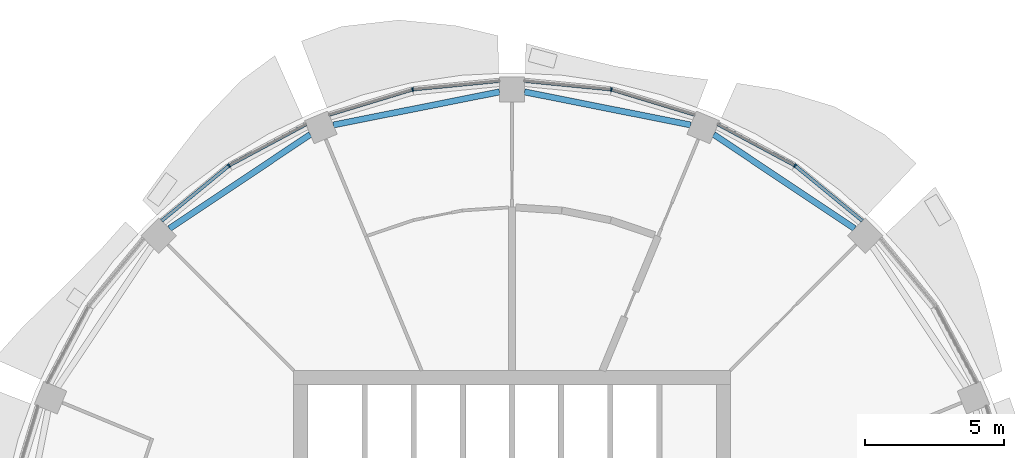
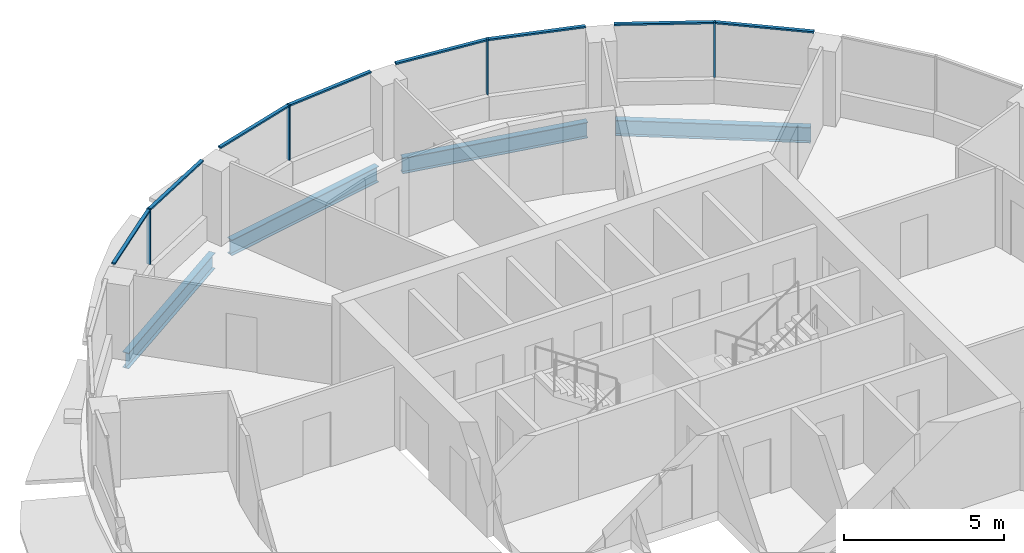
# One storey, part 6 of 15: 12 members, 4 beams, 4 elements without a shape of their own.
"""IFC4 building model written with IfcOpenShell, lengths in metres."""

from ifc_helpers import new_model, si_unit, direction, frame, origin, origin_2d, place, context, subcontext, project, spatial, rectangle, i_section, extrude, material, material_profile, profile_set, type_object, element, aggregate, save


model = new_model("IFC4")

# Units and contexts
model_context = context("Model", 3, precision=1e-05, world=origin(), true_north=direction((0.0, 1.0)))
body_context = subcontext(model_context, "Body", "Model", "MODEL_VIEW")
ifc_project = project(units=[si_unit("LENGTHUNIT", "METRE"), si_unit("AREAUNIT", "SQUARE_METRE"), si_unit("VOLUMEUNIT", "CUBIC_METRE"), si_unit("PLANEANGLEUNIT", "RADIAN"), si_unit("MASSUNIT", "GRAM", prefix="KILO")], contexts=[model_context])

# Site, building, storey
site_placement = place(None, origin())
site = spatial("IfcSite", under=ifc_project, at=site_placement, CompositionType="ELEMENT")
building_placement = place(site_placement, origin())
building = spatial("IfcBuilding", under=site, at=building_placement, Name="Polderwave Tower", CompositionType="ELEMENT")
storey_placement = place(building_placement, frame((0.0, 0.0, 180.949951171875)))
storey = spatial("IfcBuildingStorey", under=building, at=storey_placement, Name="L48", CompositionType="ELEMENT", Elevation=180.949951171875)

# Curtain wall, member
ifc_material_1 = material(Name="Aluminium 6063-T6 and glass", Category="aluminium")
curtain_wall_type = type_object("IfcCurtainWallType", Name="Office ribbon glazing wall", PredefinedType="NOTDEFINED", material=ifc_material_1)
curtain_wall_1_placement = place(storey_placement, origin())
curtain_wall_1 = element("IfcCurtainWall", 1, at=curtain_wall_1_placement, inside=storey, type_object=curtain_wall_type, Name="CW3 L48 02", PredefinedType="NOTDEFINED")
ifc_material_2 = material(Name="Aluminium 6063-T6", Category="aluminium")
ifc_material_profile_1 = material_profile(ifc_material_2, rectangle(XDim=0.139892578125, YDim=0.054931640625, at=origin_2d()), Name="AL 55x140")
ifc_profile_set_1 = profile_set([ifc_material_profile_1], Name="Aluminium 6063-T6")
member_type_1 = type_object("IfcMemberType", Name="Office ribbon glazing mullion 55x140", PredefinedType="MULLION", material=ifc_profile_set_1)
member_1_placement = place(storey_placement, frame((10.2060546875, 15.27392578125, 0.900146484375), z_axis=(0.0, 0.0, 1.0), x_axis=(-0.555695028949, -0.83138621278, 0.0)))
member_1 = element("IfcMember", 2, at=member_1_placement, type_object=member_type_1, Name="CW3 mullion 1", PredefinedType="MULLION", context=body_context, shape_type="SweptSolid", body=[
    extrude(rectangle(XDim=0.139892578125, YDim=0.054931640625, at=origin_2d()), origin(), (0.0, 0.0, 1.0), 2.099853515625),
])

curtain_wall_2_placement = place(storey_placement, origin())
curtain_wall_2 = element("IfcCurtainWall", 3, at=curtain_wall_2_placement, inside=storey, type_object=curtain_wall_type, Name="CW3 L48 03", PredefinedType="NOTDEFINED")
member_2_placement = place(storey_placement, frame((3.583984375, 18.01708984375, 0.900146484375), z_axis=(0.0, 0.0, 1.0), x_axis=(-0.195143387321, -0.980774723565, 0.0)))
member_2 = element("IfcMember", 4, at=member_2_placement, type_object=member_type_1, Name="CW3 mullion 1", PredefinedType="MULLION", context=body_context, shape_type="SweptSolid", body=[
    extrude(rectangle(XDim=0.139892578125, YDim=0.054931640625, at=origin_2d()), origin(), (0.0, 0.0, 1.0), 2.099853515625),
])

curtain_wall_3_placement = place(storey_placement, origin())
curtain_wall_3 = element("IfcCurtainWall", 5, at=curtain_wall_3_placement, inside=storey, type_object=curtain_wall_type, Name="CW3 L48 04", PredefinedType="NOTDEFINED")
member_3_placement = place(storey_placement, frame((-3.583984375, 18.01708984375, 0.900146484375), z_axis=(0.0, 0.0, 1.0), x_axis=(0.195143387321, -0.980774723565, 0.0)))
member_3 = element("IfcMember", 6, at=member_3_placement, type_object=member_type_1, Name="CW3 mullion 1", PredefinedType="MULLION", context=body_context, shape_type="SweptSolid", body=[
    extrude(rectangle(XDim=0.139892578125, YDim=0.054931640625, at=origin_2d()), origin(), (0.0, 0.0, 1.0), 2.099853515625),
])

curtain_wall_4_placement = place(storey_placement, origin())
curtain_wall_4 = element("IfcCurtainWall", 7, at=curtain_wall_4_placement, inside=storey, type_object=curtain_wall_type, Name="CW3 L48 05", PredefinedType="NOTDEFINED")
member_4_placement = place(storey_placement, frame((-10.2060546875, 15.27392578125, 0.900146484375), z_axis=(0.0, 0.0, 1.0), x_axis=(0.555695028949, -0.83138621278, 0.0)))
member_4 = element("IfcMember", 8, at=member_4_placement, type_object=member_type_1, Name="CW3 mullion 1", PredefinedType="MULLION", context=body_context, shape_type="SweptSolid", body=[
    extrude(rectangle(XDim=0.139892578125, YDim=0.054931640625, at=origin_2d()), origin(), (0.0, 0.0, 1.0), 2.099853515625),
])

# Member
ifc_material_profile_2 = material_profile(ifc_material_2, rectangle(XDim=0.1201171875, YDim=0.06005859375, at=origin_2d()), Name="AL 60x120")
ifc_profile_set_2 = profile_set([ifc_material_profile_2], Name="Aluminium 6063-T6")
member_type_2 = type_object("IfcMemberType", Name="Office ribbon glazing transom 60x120", PredefinedType="USERDEFINED", material=ifc_profile_set_2)
member_5_placement = place(storey_placement, frame((12.639892578125, 13.27587890625, 2.969970703125), z_axis=(-0.772893374383, 0.634535918475, 0.0), x_axis=(-0.634535918475, -0.772893374383, 0.0)))
member_5 = element("IfcMember", 9, at=member_5_placement, type_object=member_type_2, Name="CW3 transom 1", ObjectType="TRANSOM", PredefinedType="USERDEFINED", context=body_context, shape_type="SweptSolid", body=[
    extrude(rectangle(XDim=0.1201171875, YDim=0.06005859375, at=origin_2d()), origin(), (0.0, 0.0, 1.0), 3.12158203125),
])

member_6_placement = place(storey_placement, frame((10.181640625, 15.287109375, 2.969970703125), z_axis=(-0.881843639601, 0.471541933761, 0.0), x_axis=(-0.471541933761, -0.881843639601, 0.0)))
member_6 = element("IfcMember", 10, at=member_6_placement, type_object=member_type_2, Name="CW3 transom 2", ObjectType="TRANSOM", PredefinedType="USERDEFINED", context=body_context, shape_type="SweptSolid", body=[
    extrude(rectangle(XDim=0.1201171875, YDim=0.06005859375, at=origin_2d()), origin(), (0.0, 0.0, 1.0), 3.12158203125),
])

aggregate(curtain_wall_1, [member_1, member_5, member_6])

member_7_placement = place(storey_placement, frame((6.596923828125, 17.10302734375, 2.969970703125), z_axis=(-0.956936858445, 0.290296140087, 0.0), x_axis=(-0.290296140087, -0.956936858445, 0.0)))
member_7 = element("IfcMember", 11, at=member_7_placement, type_object=member_type_2, Name="CW3 transom 1", ObjectType="TRANSOM", PredefinedType="USERDEFINED", context=body_context, shape_type="SweptSolid", body=[
    extrude(rectangle(XDim=0.1201171875, YDim=0.06005859375, at=origin_2d()), origin(), (0.0, 0.0, 1.0), 3.120849609375),
])

member_8_placement = place(storey_placement, frame((3.556640625, 18.019775390625, 2.969970703125), z_axis=(-0.995179408841, 0.098071118168, 0.0), x_axis=(-0.098071118168, -0.995179408841, 0.0)))
member_8 = element("IfcMember", 12, at=member_8_placement, type_object=member_type_2, Name="CW3 transom 2", ObjectType="TRANSOM", PredefinedType="USERDEFINED", context=body_context, shape_type="SweptSolid", body=[
    extrude(rectangle(XDim=0.1201171875, YDim=0.06005859375, at=origin_2d()), origin(), (0.0, 0.0, 1.0), 3.121826171875),
])

aggregate(curtain_wall_2, [member_2, member_7, member_8])

member_9_placement = place(storey_placement, frame((-0.449951171875, 18.325927734375, 2.969970703125), z_axis=(-0.995179408841, -0.098071118168, 0.0), x_axis=(0.098071118168, -0.995179408841, 0.0)))
member_9 = element("IfcMember", 13, at=member_9_placement, type_object=member_type_2, Name="CW3 transom 1", ObjectType="TRANSOM", PredefinedType="USERDEFINED", context=body_context, shape_type="SweptSolid", body=[
    extrude(rectangle(XDim=0.1201171875, YDim=0.06005859375, at=origin_2d()), origin(), (0.0, 0.0, 1.0), 3.121826171875),
])

member_10_placement = place(storey_placement, frame((-3.6103515625, 18.009033203125, 2.969970703125), z_axis=(-0.956936858445, -0.290296140087, 0.0), x_axis=(0.290296140087, -0.956936858445, 0.0)))
member_10 = element("IfcMember", 14, at=member_10_placement, type_object=member_type_2, Name="CW3 transom 2", ObjectType="TRANSOM", PredefinedType="USERDEFINED", context=body_context, shape_type="SweptSolid", body=[
    extrude(rectangle(XDim=0.1201171875, YDim=0.06005859375, at=origin_2d()), origin(), (0.0, 0.0, 1.0), 3.120849609375),
])

aggregate(curtain_wall_3, [member_3, member_9, member_10])

member_11_placement = place(storey_placement, frame((-7.428955078125, 16.759033203125, 2.969970703125), z_axis=(-0.881843639601, -0.471541933761, 0.0), x_axis=(0.471541933761, -0.881843639601, 0.0)))
member_11 = element("IfcMember", 15, at=member_11_placement, type_object=member_type_2, Name="CW3 transom 1", ObjectType="TRANSOM", PredefinedType="USERDEFINED", context=body_context, shape_type="SweptSolid", body=[
    extrude(rectangle(XDim=0.1201171875, YDim=0.06005859375, at=origin_2d()), origin(), (0.0, 0.0, 1.0), 3.12158203125),
])

member_12_placement = place(storey_placement, frame((-10.227294921875, 15.256591796875, 2.969970703125), z_axis=(-0.772893374383, -0.634535918475, 0.0), x_axis=(0.634535918475, -0.772893374383, 0.0)))
member_12 = element("IfcMember", 16, at=member_12_placement, type_object=member_type_2, Name="CW3 transom 2", ObjectType="TRANSOM", PredefinedType="USERDEFINED", context=body_context, shape_type="SweptSolid", body=[
    extrude(rectangle(XDim=0.1201171875, YDim=0.06005859375, at=origin_2d()), origin(), (0.0, 0.0, 1.0), 3.12158203125),
])

aggregate(curtain_wall_4, [member_4, member_11, member_12])

# Beams
ifc_material_3 = material(Name="Steel S355", Category="steel")
ifc_material_profile_3 = material_profile(ifc_material_3, i_section(OverallWidth=0.219970703125, OverallDepth=0.60009765625, WebThickness=0.011962890625, FlangeThickness=0.01904296875, at=origin_2d()), Name="IPE 600")
ifc_profile_set_3 = profile_set([ifc_material_profile_3], Name="Steel S355")
beam_type = type_object("IfcBeamType", Name="RING BEAM IPE 600", PredefinedType="BEAM", material=ifc_profile_set_3)
for number, where, z_axis, x_axis, name in (
    (17, (12.360595703125, 12.9970703125, -0.64990234375), (-0.831490778911, 0.555538553645, 0.0), (-0.555538553645, -0.831490778911, 0.0), "ST-RB-L48-02"),
    (18, (6.446044921875, 16.73779296875, -0.64990234375), (-0.980787479014, 0.195079268525, 0.0), (-0.195079268525, -0.980787479014, 0.0), "ST-RB-L48-03"),
    (19, (-0.449951171875, 17.930419921875, -0.64990234375), (-0.980787479014, -0.195079268525, 0.0), (0.195079268525, -0.980787479014, 0.0), "ST-RB-L48-04"),
    (20, (-7.27734375, 16.393310546875, -0.64990234375), (-0.831490778911, -0.555538553645, 0.0), (0.555538553645, -0.831490778911, 0.0), "ST-RB-L48-05"),
):
    element("IfcBeam", number, at=place(storey_placement, frame(where, z_axis=z_axis, x_axis=x_axis)), inside=storey, type_object=beam_type, Name=name, PredefinedType="BEAM", context=body_context, shape_type="SweptSolid", body=[
        extrude(i_section(OverallWidth=0.219970703125, OverallDepth=0.60009765625, WebThickness=0.011962890625, FlangeThickness=0.01904296875, at=origin_2d()), origin(), (0.0, 0.0, 1.0), 6.113525390625),
    ])

save(model, "model.ifc")
